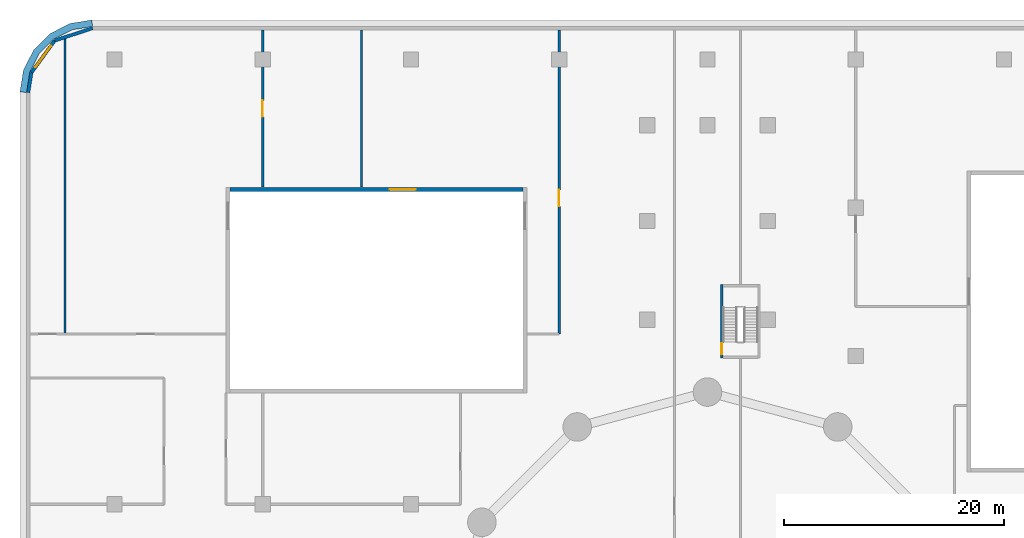
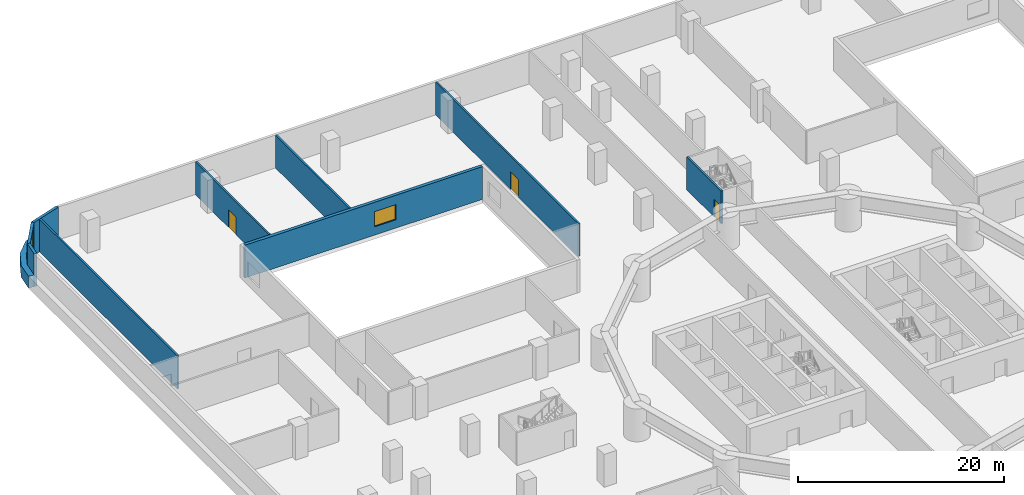
# One storey, part 10 of 16: 9 walls, 3 doors, 2 windows, 1 member, 5 openings.
"""IFC4 building model written with IfcOpenShell, lengths in metres."""

from ifc_helpers import new_model, si_unit, direction, frame, frame_2d, origin, place, context, subcontext, project, spatial, polyline, rectangle, outline, extrude, material, layer, layer_set, type_object, element, fill, aggregate, save


model = new_model("IFC4")

# Units and contexts
model_context = context("Model", 3, precision=1e-05, world=origin(), true_north=direction((0.0, 1.0)))
body_context = subcontext(model_context, "Body", "Model", "MODEL_VIEW")
ifc_project = project(units=[si_unit("LENGTHUNIT", "METRE"), si_unit("AREAUNIT", "SQUARE_METRE"), si_unit("VOLUMEUNIT", "CUBIC_METRE"), si_unit("PLANEANGLEUNIT", "RADIAN"), si_unit("MASSUNIT", "GRAM", prefix="KILO")], contexts=[model_context])

# Member
ifc_material_1 = material(Name="Aluminium and insulated spandrel panel", Category="aluminium")
member_type = type_object("IfcMemberType", Name="Floor-edge blade transom", PredefinedType="USERDEFINED", material=ifc_material_1)
site_placement = place(None, origin())
building_placement = place(site_placement, origin())
storey_placement = place(building_placement, frame((0.0, 0.0, 25.0)))
member_placement = place(storey_placement, origin())
member = element("IfcMember", 1, at=member_placement, type_object=member_type, Name="CWT-L04-03", ObjectType="TRANSOM", PredefinedType="USERDEFINED", context=body_context, shape_type="SweptSolid", body=[
    extrude(outline(polyline([(-56.0, 57.0), (-57.85400390625, 56.706298828125), (-59.526611328125, 55.85400390625), (-60.85400390625, 54.526611328125), (-61.706298828125, 52.85400390625), (-62.0, 51.0), (-62.60009765625, 51.047119140625), (-62.2841796875, 53.041748046875), (-61.345458984375, 54.8837890625), (-59.8837890625, 56.345458984375), (-58.041748046875, 57.2841796875), (-56.047119140625, 57.60009765625), (-56.0, 57.0)])), origin(), (0.0, 0.0, 1.0), 1.39990234375),
])

# Site, building, storey
site = spatial("IfcSite", under=ifc_project, at=site_placement, CompositionType="ELEMENT")
building = spatial("IfcBuilding", under=site, at=building_placement, Name="Tamarind Cross Interchange Tower", CompositionType="ELEMENT")
storey = spatial("IfcBuildingStorey", under=building, at=storey_placement, Name="L04", CompositionType="ELEMENT", Elevation=25.0)

# Wall
ifc_material_2 = material(Name="Masonry partition, fire-rated", Category="masonry")
ifc_layer_1 = layer(ifc_material_2, 0.199951171875)
ifc_layer_set_1 = layer_set([ifc_layer_1], Name="Masonry partition, fire-rated")
wall_type_1 = type_object("IfcWallType", Name="Fire partition 200 EI 120", PredefinedType="PARTITIONING", material=ifc_layer_set_1)
wall_1_placement = place(storey_placement, frame((-58.5, 29.0, 0.0), z_axis=(0.0, 0.0, 1.0), x_axis=(0.0, 1.0, 0.0)))
element("IfcWall", 2, at=wall_1_placement, inside=storey, type_object=wall_type_1, Name="L04 partition 12", PredefinedType="PARTITIONING", context=body_context, shape_type="SweptSolid", body=[
    extrude(rectangle(XDim=27.03955078125, YDim=0.199951171875, at=frame_2d((13.519775390625, 0.0))), origin(), (0.0, 0.0, 1.0), 3.89990234375),
])

# Wall, opening, door
wall_2_placement = place(storey_placement, frame((-40.5, 42.3798828125, 0.0), z_axis=(0.0, 0.0, 1.0), x_axis=(0.0, 1.0, 0.0)))
wall_2 = element("IfcWall", 3, at=wall_2_placement, inside=storey, type_object=wall_type_1, Name="L04 partition 20", PredefinedType="PARTITIONING", context=body_context, shape_type="SweptSolid", body=[
    extrude(rectangle(XDim=14.319091796875, YDim=0.199951171875, at=frame_2d((7.15966796875, 0.0))), origin(), (0.0, 0.0, 1.0), 3.89990234375),
])
opening_1_placement = place(wall_2_placement, frame((6.39501953125, 0.0, 0.0)))
opening_1 = element("IfcOpeningElement", 4, at=opening_1_placement, cuts=wall_2, Name="Opening DL04-11", PredefinedType="OPENING", context=body_context, shape_type="SweptSolid", body=[
    extrude(rectangle(XDim=1.5, YDim=2.10009765625, at=frame_2d((0.75, 1.050048828125))), frame((0.0, 0.10986328125, 0.0), z_axis=(0.0, -1.0, 0.0), x_axis=(1.0, 0.0, 0.0)), (0.0, 0.0, 1.0), 0.219970703125),
])
ifc_material_3 = material(Name="Steel, fire-resisting", Category="steel")
door_type_1 = type_object("IfcDoorType", Name="Podium door 1500 x 2100 FD90", OperationType="SINGLE_SWING_LEFT", PredefinedType="DOOR", material=ifc_material_3)
door_1_placement = place(opening_1_placement, origin())
door_1 = element("IfcDoor", 5, at=door_1_placement, inside=storey, type_object=door_type_1, Name="L04 door Smoke Extract Plant Room 0411", OperationType="SINGLE_SWING_LEFT", OverallHeight=2.10009765625, OverallWidth=1.5, PredefinedType="DOOR", context=body_context, shape_type="SweptSolid", body=[
    extrude(rectangle(XDim=1.5, YDim=2.10009765625, at=frame_2d((0.75, 1.050048828125))), frame((0.0, 0.02490234375, 0.0), z_axis=(0.0, -1.0, 0.0), x_axis=(1.0, 0.0, 0.0)), (0.0, 0.0, 1.0), 0.050048828125),
])
fill(opening_1, door_1)

# Wall
wall_3_placement = place(storey_placement, frame((-31.5, 42.3798828125, 0.0), z_axis=(0.0, 0.0, 1.0), x_axis=(0.0, 1.0, 0.0)))
element("IfcWall", 6, at=wall_3_placement, inside=storey, type_object=wall_type_1, Name="L04 partition 26", PredefinedType="PARTITIONING", context=body_context, shape_type="SweptSolid", body=[
    extrude(rectangle(XDim=14.319091796875, YDim=0.199951171875, at=frame_2d((7.15966796875, 0.0))), origin(), (0.0, 0.0, 1.0), 3.89990234375),
])

# Wall, opening, door
wall_4_placement = place(storey_placement, frame((-13.5, 29.0, 0.0), z_axis=(0.0, 0.0, 1.0), x_axis=(0.0, 1.0, 0.0)))
wall_4 = element("IfcWall", 7, at=wall_4_placement, inside=storey, type_object=wall_type_1, Name="L04 partition 29", PredefinedType="PARTITIONING", context=body_context, shape_type="SweptSolid", body=[
    extrude(rectangle(XDim=27.698974609375, YDim=0.199951171875, at=frame_2d((13.849609375, 0.0))), origin(), (0.0, 0.0, 1.0), 3.89990234375),
])
opening_2_placement = place(wall_4_placement, frame((11.625, 0.0, 0.0)))
opening_2 = element("IfcOpeningElement", 8, at=opening_2_placement, cuts=wall_4, Name="Opening DL04-10", PredefinedType="OPENING", context=body_context, shape_type="SweptSolid", body=[
    extrude(rectangle(XDim=1.5, YDim=2.10009765625, at=frame_2d((0.75, 1.050048828125))), frame((0.0, 0.10986328125, 0.0), z_axis=(0.0, -1.0, 0.0), x_axis=(1.0, 0.0, 0.0)), (0.0, 0.0, 1.0), 0.219970703125),
])
door_2_placement = place(opening_2_placement, origin())
door_2 = element("IfcDoor", 9, at=door_2_placement, inside=storey, type_object=door_type_1, Name="L04 door Transformer Room 0410", OperationType="SINGLE_SWING_RIGHT", OverallHeight=2.10009765625, OverallWidth=1.5, PredefinedType="DOOR", context=body_context, shape_type="SweptSolid", body=[
    extrude(rectangle(XDim=1.5, YDim=2.10009765625, at=frame_2d((0.75, 1.050048828125))), frame((0.0, 0.02490234375, 0.0), z_axis=(0.0, -1.0, 0.0), x_axis=(1.0, 0.0, 0.0)), (0.0, 0.0, 1.0), 0.050048828125),
])
fill(opening_2, door_2)

# Wall
ifc_material_4 = material(Name="Precast concrete C40", Category="concrete")
ifc_layer_2 = layer(ifc_material_4, 0.300048828125)
ifc_layer_set_2 = layer_set([ifc_layer_2], Name="Precast concrete C40")
wall_type_2 = type_object("IfcWallType", Name="Plant louvre wall", PredefinedType="SOLIDWALL", material=ifc_layer_set_2)
wall_5_placement = place(storey_placement, frame((-55.98828125, 56.85009765625, 0.0), z_axis=(0.0, 0.0, 1.0), x_axis=(-0.951204127457, -0.308562324189, 0.0)))
wall_5 = element("IfcWall", 10, at=wall_5_placement, inside=storey, type_object=wall_type_2, Name="EXW-L04-03-00", PredefinedType="SOLIDWALL", context=body_context, shape_type="SweptSolid", body=[
    extrude(rectangle(XDim=3.626220703125, YDim=0.300048828125, at=frame_2d((1.81298828125, 0.0))), origin(), (0.0, 0.0, 1.0), 3.89990234375),
])

aggregate(wall_5, [member])

# Wall, opening, window
wall_6_placement = place(storey_placement, frame((-59.4375, 55.731201171875, 0.0), z_axis=(0.0, 0.0, 1.0), x_axis=(-0.587794100557, -0.80901056566, 0.0)))
wall_6 = element("IfcWall", 11, at=wall_6_placement, inside=storey, type_object=wall_type_2, Name="EXW-L04-03-01", PredefinedType="SOLIDWALL", context=body_context, shape_type="SweptSolid", body=[
    extrude(rectangle(XDim=3.614501953125, YDim=0.300048828125, at=frame_2d((1.80712890625, 0.0))), origin(), (0.0, 0.0, 1.0), 3.89990234375),
])
opening_3_placement = place(wall_6_placement, frame((0.60009765625, 0.0, 1.39990234375)))
opening_3 = element("IfcOpeningElement", 12, at=opening_3_placement, cuts=wall_6, Name="Opening W2", PredefinedType="OPENING", context=body_context, shape_type="SweptSolid", body=[
    extrude(rectangle(XDim=2.414306640625, YDim=2.199951171875, at=frame_2d((1.20703125, 1.10009765625))), frame((0.0, 0.159912109375, 0.0), z_axis=(0.0, -1.0, 0.0), x_axis=(1.0, 0.0, 0.0)), (0.0, 0.0, 1.0), 0.320068359375),
])
ifc_material_5 = material(Name="Aluminium louvre", Category="aluminium")
window_type_1 = type_object("IfcWindowType", Name="Plant louvre bank", PartitioningType="SINGLE_PANEL", PredefinedType="WINDOW", material=ifc_material_5)
window_1_placement = place(opening_3_placement, origin())
window_1 = element("IfcWindow", 13, at=window_1_placement, inside=storey, type_object=window_type_1, Name="WIN-L04-03-01", OverallHeight=2.199951171875, OverallWidth=2.414306640625, PartitioningType="SINGLE_PANEL", PredefinedType="WINDOW", context=body_context, shape_type="SweptSolid", body=[
    extrude(rectangle(XDim=2.414306640625, YDim=2.199951171875, at=frame_2d((1.20703125, 1.10009765625))), frame((0.0, 0.030029296875, 0.0), z_axis=(0.0, -1.0, 0.0), x_axis=(1.0, 0.0, 0.0)), (0.0, 0.0, 1.0), 0.06005859375),
])
fill(opening_3, window_1)

# Wall
wall_7_placement = place(storey_placement, frame((-61.56201171875, 52.80712890625, 0.0), z_axis=(0.0, 0.0, 1.0), x_axis=(-0.15643911056, -0.987687604806, 0.0)))
element("IfcWall", 14, at=wall_7_placement, inside=storey, type_object=wall_type_2, Name="EXW-L04-03-02", PredefinedType="SOLIDWALL", context=body_context, shape_type="SweptSolid", body=[
    extrude(rectangle(XDim=1.841552734375, YDim=0.300048828125, at=frame_2d((0.9208984375, 0.0))), origin(), (0.0, 0.0, 1.0), 3.89990234375),
])

# Wall, opening, window
ifc_layer_3 = layer(ifc_material_4, 0.35009765625)
ifc_layer_set_3 = layer_set([ifc_layer_3], Name="Precast concrete C40")
wall_type_3 = type_object("IfcWallType", Name="Podium facade wall", PredefinedType="SOLIDWALL", material=ifc_layer_set_3)
wall_8_placement = place(storey_placement, frame((-43.5, 42.175048828125, 0.0), z_axis=(0.0, 0.0, 1.0), x_axis=(1.0, 0.0, 0.0)))
wall_8 = element("IfcWall", 15, at=wall_8_placement, inside=storey, type_object=wall_type_3, Name="CTW-L04-NWN00", PredefinedType="SOLIDWALL", context=body_context, shape_type="SweptSolid", body=[
    extrude(rectangle(XDim=26.699951171875, YDim=0.35009765625, at=frame_2d((13.35009765625, 0.0))), origin(), (0.0, 0.0, 1.0), 3.89990234375),
])
opening_4_placement = place(wall_8_placement, frame((14.550048828125, 0.0, 1.0)))
opening_4 = element("IfcOpeningElement", 16, at=opening_4_placement, cuts=wall_8, Name="Opening W4", PredefinedType="OPENING", context=body_context, shape_type="SweptSolid", body=[
    extrude(rectangle(XDim=2.39990234375, YDim=1.800048828125, at=frame_2d((1.199951171875, 0.89990234375))), frame((0.0, 0.18505859375, 0.0), z_axis=(0.0, -1.0, 0.0), x_axis=(1.0, 0.0, 0.0)), (0.0, 0.0, 1.0), 0.3701171875),
])
ifc_material_6 = material(Name="Aluminium and toughened glass", Category="aluminium")
window_type_2 = type_object("IfcWindowType", Name="Podium daylight window", PartitioningType="SINGLE_PANEL", PredefinedType="WINDOW", material=ifc_material_6)
window_2_placement = place(opening_4_placement, origin())
window_2 = element("IfcWindow", 17, at=window_2_placement, inside=storey, type_object=window_type_2, Name="CTX-L04-NWN-01-00", OverallHeight=1.800048828125, OverallWidth=2.39990234375, PartitioningType="SINGLE_PANEL", PredefinedType="WINDOW", context=body_context, shape_type="SweptSolid", body=[
    extrude(rectangle(XDim=2.39990234375, YDim=1.800048828125, at=frame_2d((1.199951171875, 0.89990234375))), frame((0.0, 0.030029296875, 0.0), z_axis=(0.0, -1.0, 0.0), x_axis=(1.0, 0.0, 0.0)), (0.0, 0.0, 1.0), 0.06005859375),
])
fill(opening_4, window_2)

# Wall, opening, door
ifc_material_7 = material(Name="Concrete C40", Category="concrete")
ifc_layer_4 = layer(ifc_material_7, 0.199951171875)
ifc_layer_set_4 = layer_set([ifc_layer_4], Name="Concrete C40")
wall_type_4 = type_object("IfcWallType", Name="Stair shaft wall 200 mm Concrete C40", PredefinedType="SHEAR", material=ifc_layer_set_4)
wall_9_placement = place(storey_placement, frame((1.300048828125, 26.800048828125, 0.0), z_axis=(0.0, 0.0, 1.0), x_axis=(0.0, 1.0, 0.0)))
wall_9 = element("IfcWall", 18, at=wall_9_placement, inside=storey, type_object=wall_type_4, Name="Core wall CWL-L04-ST4-H", PredefinedType="SHEAR", context=body_context, shape_type="SweptSolid", body=[
    extrude(rectangle(XDim=6.699951171875, YDim=0.199951171875, at=frame_2d((3.35009765625, 0.0))), origin(), (0.0, 0.0, 1.0), 3.89990234375),
])
opening_5_placement = place(wall_9_placement, frame((0.35009765625, 0.0, 0.0)))
opening_5 = element("IfcOpeningElement", 19, at=opening_5_placement, cuts=wall_9, Name="Opening ST4L04", PredefinedType="OPENING", context=body_context, shape_type="SweptSolid", body=[
    extrude(rectangle(XDim=1.0, YDim=2.10009765625, at=frame_2d((0.5, 1.050048828125))), frame((0.0, 0.10986328125, 0.0), z_axis=(0.0, -1.0, 0.0), x_axis=(1.0, 0.0, 0.0)), (0.0, 0.0, 1.0), 0.219970703125),
])
door_type_2 = type_object("IfcDoorType", Name="Core fire door 1000 x 2100 FD90", OperationType="SINGLE_SWING_LEFT", PredefinedType="DOOR", material=ifc_material_3)
door_3_placement = place(opening_5_placement, origin())
door_3 = element("IfcDoor", 20, at=door_3_placement, inside=storey, type_object=door_type_2, Name="L04 stair door ST4", OperationType="SINGLE_SWING_LEFT", OverallHeight=2.10009765625, OverallWidth=1.0, PredefinedType="DOOR", context=body_context, shape_type="SweptSolid", body=[
    extrude(rectangle(XDim=1.0, YDim=2.10009765625, at=frame_2d((0.5, 1.050048828125))), frame((0.0, 0.02490234375, 0.0), z_axis=(0.0, -1.0, 0.0), x_axis=(1.0, 0.0, 0.0)), (0.0, 0.0, 1.0), 0.050048828125),
])
fill(opening_5, door_3)

save(model, "model.ifc")
